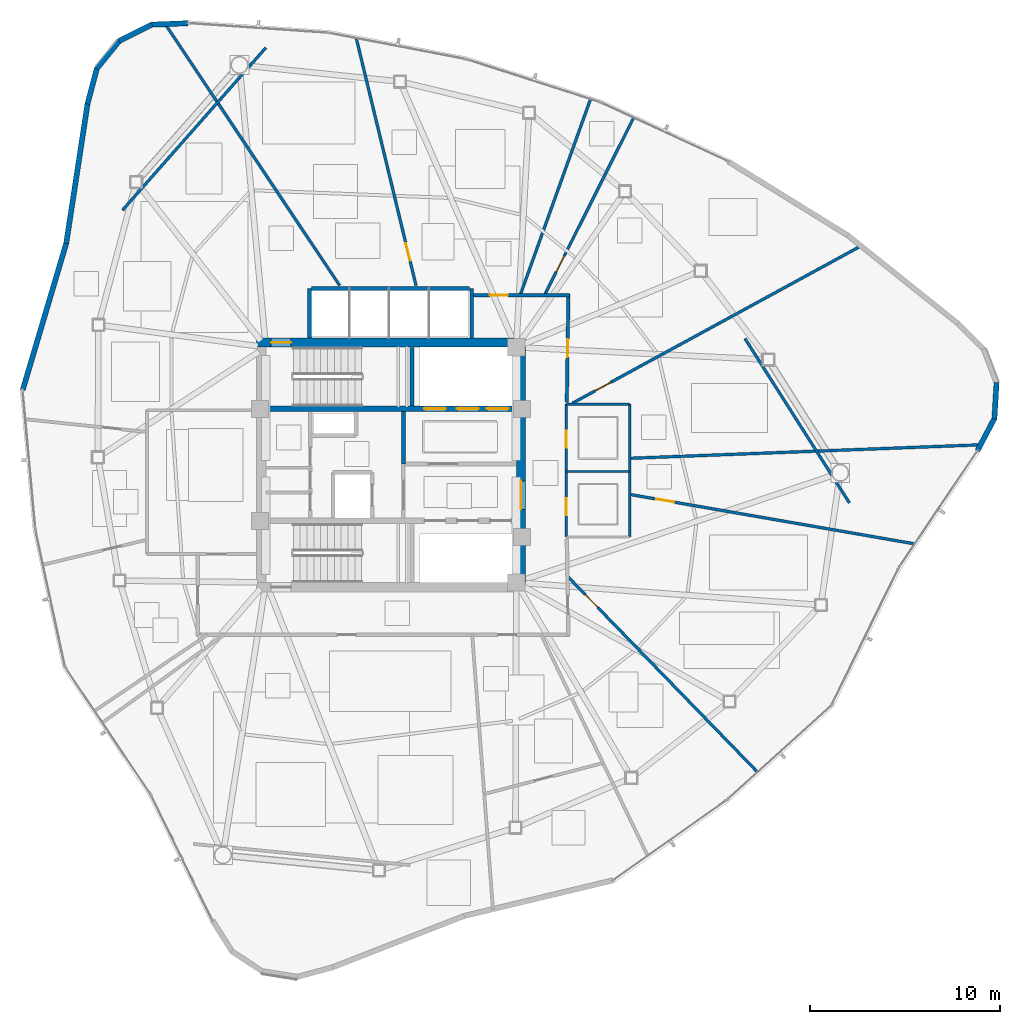
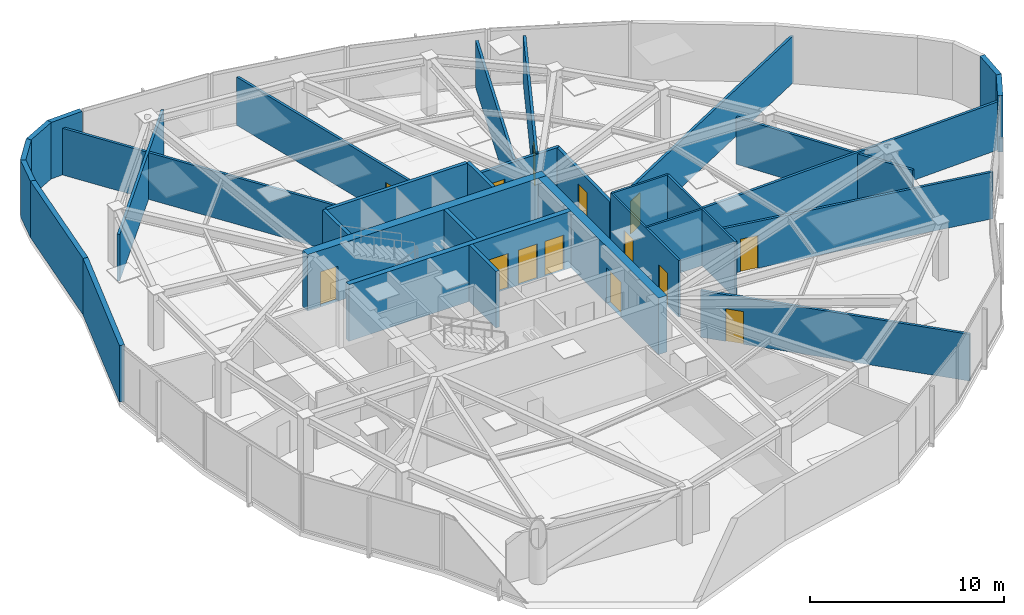
# One storey, part 12 of 17: 32 walls, 14 doors, 14 openings.
"""IFC4 building model written with IfcOpenShell, lengths in metres."""

from ifc_helpers import new_model, si_unit, direction, frame, frame_2d, origin, place, context, subcontext, project, spatial, rectangle, extrude, material, layer, layer_set, type_object, element, fill, save


model = new_model("IFC4")

# Units and contexts
model_context = context("Model", 3, precision=1e-05, world=origin(), true_north=direction((0.0, 1.0)))
body_context = subcontext(model_context, "Body", "Model", "MODEL_VIEW")
ifc_project = project(units=[si_unit("LENGTHUNIT", "METRE"), si_unit("AREAUNIT", "SQUARE_METRE"), si_unit("VOLUMEUNIT", "CUBIC_METRE"), si_unit("PLANEANGLEUNIT", "RADIAN"), si_unit("MASSUNIT", "GRAM", prefix="KILO")], contexts=[model_context])

# Site, building, storey
site_placement = place(None, origin())
site = spatial("IfcSite", under=ifc_project, at=site_placement, CompositionType="ELEMENT")
building_placement = place(site_placement, origin())
building = spatial("IfcBuilding", under=site, at=building_placement, Name="Tavelor Broadcast Tower", CompositionType="ELEMENT")
storey_placement = place(building_placement, frame((0.0, 0.0, 196.449951171875)))
storey = spatial("IfcBuildingStorey", under=building, at=storey_placement, Name="L47", CompositionType="ELEMENT", Elevation=196.449951171875)

# Wall, opening, door
ifc_material_1 = material(Name="Concrete C50/60", Category="concrete")
ifc_layer_1 = layer(ifc_material_1, 0.5)
ifc_layer_set_1 = layer_set([ifc_layer_1], Name="Concrete C50/60")
wall_type_1 = type_object("IfcWallType", Name="Core Shear Wall 500 mm", PredefinedType="SHEAR", material=ifc_layer_set_1)
wall_1_placement = place(storey_placement, frame((42.89990234375, 51.449951171875, 0.0), z_axis=(0.0, 0.0, 1.0), x_axis=(1.0, 0.0, 0.0)))
wall_1 = element("IfcWall", 1, at=wall_1_placement, inside=storey, type_object=wall_type_1, Name="L47 Central Core Shear Wall N", PredefinedType="SHEAR", context=body_context, shape_type="SweptSolid", body=[
    extrude(rectangle(XDim=14.2001953125, YDim=0.5, at=frame_2d((7.10009765625, 0.0))), origin(), (0.0, 0.0, 1.0), 3.550048828125),
])
opening_1_placement = place(wall_1_placement, frame((0.780029296875, 0.0, 0.0)))
opening_1 = element("IfcOpeningElement", 2, at=opening_1_placement, cuts=wall_1, Name="Opening DR11", PredefinedType="OPENING", context=body_context, shape_type="SweptSolid", body=[
    extrude(rectangle(XDim=1.050048828125, YDim=2.199951171875, at=frame_2d((0.52490234375, 1.10009765625))), frame((0.0, 0.260009765625, 0.0), z_axis=(0.0, -1.0, 0.0), x_axis=(1.0, 0.0, 0.0)), (0.0, 0.0, 1.0), 0.52001953125),
])
ifc_material_2 = material(Name="Steel S355", Category="steel")
door_type_1 = type_object("IfcDoorType", Name="Stair Core Fire Escape Door 1050x2200", OperationType="NOTDEFINED", PredefinedType="DOOR", material=ifc_material_2)
door_1_placement = place(opening_1_placement, origin())
door_1 = element("IfcDoor", 3, at=door_1_placement, inside=storey, type_object=door_type_1, Name="L47 Stair ST1 Protected Exit Door", OperationType="SINGLE_SWING_LEFT", OverallHeight=2.199951171875, OverallWidth=1.050048828125, PredefinedType="DOOR", context=body_context, shape_type="SweptSolid", body=[
    extrude(rectangle(XDim=1.050048828125, YDim=2.199951171875, at=frame_2d((0.52490234375, 1.10009765625))), frame((0.0, 0.02490234375, 0.0), z_axis=(0.0, -1.0, 0.0), x_axis=(1.0, 0.0, 0.0)), (0.0, 0.0, 1.0), 0.050048828125),
])
fill(opening_1, door_1)

wall_2_placement = place(storey_placement, frame((56.85009765625, 38.800048828125, 0.0), z_axis=(0.0, 0.0, 1.0), x_axis=(0.0, 1.0, 0.0)))
wall_2 = element("IfcWall", 4, at=wall_2_placement, inside=storey, type_object=wall_type_1, Name="L47 Central Core Shear Wall E", PredefinedType="SHEAR", context=body_context, shape_type="SweptSolid", body=[
    extrude(rectangle(XDim=12.39990234375, YDim=0.5, at=frame_2d((6.199951171875, 0.0))), origin(), (0.0, 0.0, 1.0), 3.550048828125),
])
opening_2_placement = place(wall_2_placement, frame((3.85009765625, 0.0, 0.0)))
opening_2 = element("IfcOpeningElement", 5, at=opening_2_placement, cuts=wall_2, Name="Opening DR14", PredefinedType="OPENING", context=body_context, shape_type="SweptSolid", body=[
    extrude(rectangle(XDim=1.5, YDim=2.199951171875, at=frame_2d((0.75, 1.10009765625))), frame((0.0, 0.260009765625, 0.0), z_axis=(0.0, -1.0, 0.0), x_axis=(1.0, 0.0, 0.0)), (0.0, 0.0, 1.0), 0.52001953125),
])
door_type_2 = type_object("IfcDoorType", Name="Firefighting Lobby Double Fire Door 1500x2200", OperationType="NOTDEFINED", PredefinedType="DOOR", material=ifc_material_2)
door_2_placement = place(opening_2_placement, origin())
door_2 = element("IfcDoor", 6, at=door_2_placement, inside=storey, type_object=door_type_2, Name="L47 Central Core Lobby Fire Door", OperationType="SINGLE_SWING_RIGHT", OverallHeight=2.199951171875, OverallWidth=1.5, PredefinedType="DOOR", context=body_context, shape_type="SweptSolid", body=[
    extrude(rectangle(XDim=1.5, YDim=2.199951171875, at=frame_2d((0.75, 1.10009765625))), frame((0.0, 0.02490234375, 0.0), z_axis=(0.0, -1.0, 0.0), x_axis=(1.0, 0.0, 0.0)), (0.0, 0.0, 1.0), 0.050048828125),
])
fill(opening_2, door_2)

# Wall, openings, doors
ifc_layer_2 = layer(ifc_material_1, 0.300048828125)
ifc_layer_set_2 = layer_set([ifc_layer_2], Name="Concrete C50/60")
wall_type_2 = type_object("IfcWallType", Name="Core Spine Shear Wall 300 mm C50", PredefinedType="SHEAR", material=ifc_layer_set_2)
wall_3_placement = place(storey_placement, frame((43.39990234375, 47.949951171875, 0.0), z_axis=(0.0, 0.0, 1.0), x_axis=(1.0, 0.0, 0.0)))
wall_3 = element("IfcWall", 7, at=wall_3_placement, inside=storey, type_object=wall_type_2, Name="L47 Central Core Shear Wall SP1", PredefinedType="SHEAR", context=body_context, shape_type="SweptSolid", body=[
    extrude(rectangle(XDim=13.2001953125, YDim=0.300048828125, at=frame_2d((6.60009765625, 0.0))), origin(), (0.0, 0.0, 1.0), 3.550048828125),
])
opening_3_placement = place(wall_3_placement, frame((8.344970703125, 0.0, 0.0)))
opening_3 = element("IfcOpeningElement", 8, at=opening_3_placement, cuts=wall_3, Name="Opening LD02", PredefinedType="OPENING", context=body_context, shape_type="SweptSolid", body=[
    extrude(rectangle(XDim=1.14990234375, YDim=2.199951171875, at=frame_2d((0.574951171875, 1.10009765625))), frame((0.0, 0.16015625, 0.0), z_axis=(0.0, -1.0, 0.0), x_axis=(1.0, 0.0, 0.0)), (0.0, 0.0, 1.0), 0.320068359375),
])
opening_4_placement = place(wall_3_placement, frame((10.06494140625, 0.0, 0.0)))
opening_4 = element("IfcOpeningElement", 9, at=opening_4_placement, cuts=wall_3, Name="Opening LD02", PredefinedType="OPENING", context=body_context, shape_type="SweptSolid", body=[
    extrude(rectangle(XDim=1.14990234375, YDim=2.199951171875, at=frame_2d((0.574951171875, 1.10009765625))), frame((0.0, 0.16015625, 0.0), z_axis=(0.0, -1.0, 0.0), x_axis=(1.0, 0.0, 0.0)), (0.0, 0.0, 1.0), 0.320068359375),
])
opening_5_placement = place(wall_3_placement, frame((11.64501953125, 0.0, 0.0)))
opening_5 = element("IfcOpeningElement", 10, at=opening_5_placement, cuts=wall_3, Name="Opening LD03", PredefinedType="OPENING", context=body_context, shape_type="SweptSolid", body=[
    extrude(rectangle(XDim=1.14990234375, YDim=2.199951171875, at=frame_2d((0.574951171875, 1.10009765625))), frame((0.0, 0.16015625, 0.0), z_axis=(0.0, -1.0, 0.0), x_axis=(1.0, 0.0, 0.0)), (0.0, 0.0, 1.0), 0.320068359375),
])
ifc_material_3 = material(Name="Reinforced Brushed Stainless Steel", Category="concrete")
door_type_3 = type_object("IfcDoorType", Name="Broadcast Goods Lift Sliding Landing Door 1250x2200", OperationType="NOTDEFINED", PredefinedType="DOOR", material=ifc_material_3)
door_3_placement = place(opening_5_placement, origin())
door_3 = element("IfcDoor", 11, at=door_3_placement, inside=storey, type_object=door_type_3, Name="L47 Lift SVL1 Sliding Landing Door", OperationType="SLIDING_TO_LEFT", OverallHeight=2.199951171875, OverallWidth=1.14990234375, PredefinedType="DOOR", context=body_context, shape_type="SweptSolid", body=[
    extrude(rectangle(XDim=1.14990234375, YDim=2.199951171875, at=frame_2d((0.574951171875, 1.10009765625))), frame((0.0, 0.02490234375, 0.0), z_axis=(0.0, -1.0, 0.0), x_axis=(1.0, 0.0, 0.0)), (0.0, 0.0, 1.0), 0.050048828125),
])
fill(opening_5, door_3)
ifc_material_4 = material(Name="Fire-Rated Stainless Steel", Category="steel")
door_type_4 = type_object("IfcDoorType", Name="Firefighting Lift Sliding Landing Door 1200x2200", OperationType="NOTDEFINED", PredefinedType="DOOR", material=ifc_material_4)
door_4_placement = place(opening_3_placement, origin())
door_4 = element("IfcDoor", 12, at=door_4_placement, inside=storey, type_object=door_type_4, Name="L47 Lift FFL1 Sliding Landing Door", OperationType="SLIDING_TO_LEFT", OverallHeight=2.199951171875, OverallWidth=1.14990234375, PredefinedType="DOOR", context=body_context, shape_type="SweptSolid", body=[
    extrude(rectangle(XDim=1.14990234375, YDim=2.199951171875, at=frame_2d((0.574951171875, 1.10009765625))), frame((0.0, 0.02490234375, 0.0), z_axis=(0.0, -1.0, 0.0), x_axis=(1.0, 0.0, 0.0)), (0.0, 0.0, 1.0), 0.050048828125),
])
fill(opening_3, door_4)
door_5_placement = place(opening_4_placement, origin())
door_5 = element("IfcDoor", 13, at=door_5_placement, inside=storey, type_object=door_type_4, Name="L47 Lift FFL2 Sliding Landing Door", OperationType="SLIDING_TO_LEFT", OverallHeight=2.199951171875, OverallWidth=1.14990234375, PredefinedType="DOOR", context=body_context, shape_type="SweptSolid", body=[
    extrude(rectangle(XDim=1.14990234375, YDim=2.199951171875, at=frame_2d((0.574951171875, 1.10009765625))), frame((0.0, 0.02490234375, 0.0), z_axis=(0.0, -1.0, 0.0), x_axis=(1.0, 0.0, 0.0)), (0.0, 0.0, 1.0), 0.050048828125),
])
fill(opening_4, door_5)

# Wall, opening, door
ifc_material_5 = material(Name="Calcium Silicate Fire Board 180 mm", Category="gypsum")
ifc_layer_3 = layer(ifc_material_5, 0.179931640625)
ifc_layer_set_3 = layer_set([ifc_layer_3], Name="Calcium Silicate Fire Board 180 mm")
wall_type_3 = type_object("IfcWallType", Name="Fire-Rated Corridor Partition Wall 180 mm", PredefinedType="PARTITIONING", material=ifc_layer_set_3)
wall_4_placement = place(storey_placement, frame((54.300048828125, 53.949951171875, 0.0), z_axis=(0.0, 0.0, 1.0), x_axis=(1.0, 0.0, 0.0)))
wall_4 = element("IfcWall", 14, at=wall_4_placement, inside=storey, type_object=wall_type_3, Name="L47 Corridor Compartment Wall 01", PredefinedType="PARTITIONING", context=body_context, shape_type="SweptSolid", body=[
    extrude(rectangle(XDim=5.099853515625, YDim=0.179931640625, at=frame_2d((2.5498046875, 0.0))), origin(), (0.0, 0.0, 1.0), 2.93505859375),
])
opening_6_placement = place(wall_4_placement, frame((0.913818359375, 0.0, 0.0)))
opening_6 = element("IfcOpeningElement", 15, at=opening_6_placement, cuts=wall_4, Name="Opening DR18", PredefinedType="OPENING", context=body_context, shape_type="SweptSolid", body=[
    extrude(rectangle(XDim=0.949951171875, YDim=2.050048828125, at=frame_2d((0.47509765625, 1.02490234375))), frame((0.0, 0.10009765625, 0.0), z_axis=(0.0, -1.0, 0.0), x_axis=(1.0, 0.0, 0.0)), (0.0, 0.0, 1.0), 0.199951171875),
])
ifc_material_6 = material(Name="Timber Solid Core Hardwood", Category="wood")
door_type_5 = type_object("IfcDoorType", Name="Corridor Rated Compartment Door 950x2050", OperationType="NOTDEFINED", PredefinedType="DOOR", material=ifc_material_6)
door_6_placement = place(opening_6_placement, origin())
door_6 = element("IfcDoor", 16, at=door_6_placement, inside=storey, type_object=door_type_5, Name="L47 Broadcast Script Study Door R9", OperationType="SINGLE_SWING_LEFT", OverallHeight=2.050048828125, OverallWidth=0.949951171875, PredefinedType="DOOR", context=body_context, shape_type="SweptSolid", body=[
    extrude(rectangle(XDim=0.949951171875, YDim=2.050048828125, at=frame_2d((0.47509765625, 1.02490234375))), frame((0.0, 0.02490234375, 0.0), z_axis=(0.0, -1.0, 0.0), x_axis=(1.0, 0.0, 0.0)), (0.0, 0.0, 1.0), 0.050048828125),
])
fill(opening_6, door_6)

wall_5_placement = place(storey_placement, frame((59.3505859375, 54.0, 0.0), z_axis=(0.0, 0.0, 1.0), x_axis=(-0.014903899768, -0.999888930718, 0.0)))
wall_5 = element("IfcWall", 17, at=wall_5_placement, inside=storey, type_object=wall_type_3, Name="L47 Corridor Compartment Wall 02", PredefinedType="PARTITIONING", context=body_context, shape_type="SweptSolid", body=[
    extrude(rectangle(XDim=5.70068359375, YDim=0.179931640625, at=frame_2d((2.850341796875, 0.0))), origin(), (0.0, 0.0, 1.0), 2.93505859375),
])
opening_7_placement = place(wall_5_placement, frame((2.375244140625, 0.0, 0.0)))
opening_7 = element("IfcOpeningElement", 18, at=opening_7_placement, cuts=wall_5, Name="Opening DR18", PredefinedType="OPENING", context=body_context, shape_type="SweptSolid", body=[
    extrude(rectangle(XDim=0.949951171875, YDim=2.050048828125, at=frame_2d((0.47509765625, 1.02490234375))), frame((0.0, 0.10009765625, 0.0), z_axis=(0.0, -1.0, 0.0), x_axis=(1.0, 0.0, 0.0)), (0.0, 0.0, 1.0), 0.199951171875),
])
door_7_placement = place(opening_7_placement, origin())
door_7 = element("IfcDoor", 19, at=door_7_placement, inside=storey, type_object=door_type_5, Name="L47 Colour Grading Studio Door R11", OperationType="SINGLE_SWING_RIGHT", OverallHeight=2.050048828125, OverallWidth=0.949951171875, PredefinedType="DOOR", context=body_context, shape_type="SweptSolid", body=[
    extrude(rectangle(XDim=0.949951171875, YDim=2.050048828125, at=frame_2d((0.47509765625, 1.02490234375))), frame((0.0, 0.02490234375, 0.0), z_axis=(0.0, -1.0, 0.0), x_axis=(1.0, 0.0, 0.0)), (0.0, 0.0, 1.0), 0.050048828125),
])
fill(opening_7, door_7)

# Walls
ifc_material_7 = material(Name="Precast Concrete C40/50", Category="concrete")
ifc_layer_4 = layer(ifc_material_7, 0.280029296875)
ifc_layer_set_4 = layer_set([ifc_layer_4], Name="Precast Concrete C40/50")
wall_type_4 = type_object("IfcWallType", Name="Insulated Precast Terracotta Facade Wall 280 mm", PredefinedType="STANDARD", material=ifc_layer_set_4)
wall_6_placement = place(storey_placement, frame((39.298583984375, 68.28173828125, 0.0), z_axis=(0.0, 0.0, 1.0), x_axis=(-0.999229915241, -0.039237437328, 0.0)))
element("IfcWall", 20, at=wall_6_placement, inside=storey, type_object=wall_type_4, Name="L47 Rounded Corner Structural Cladding Pier 01", PredefinedType="STANDARD", context=body_context, shape_type="SweptSolid", body=[
    extrude(rectangle(XDim=1.93505859375, YDim=0.280029296875, at=frame_2d((0.967529296875, 0.0))), origin(), (0.0, 0.0, 1.0), 3.550048828125),
])
for number, where, z_axis, x_axis, name in (
    (21, (37.393310546875, 68.213134765625, 0.0), (0.0, 0.0, 1.0), (-0.894503338382, -0.44706126831, 0.0), "L47 Rounded Corner Structural Cladding Pier 02"),
    (22, (35.69580078125, 67.37158203125, 0.0), (0.0, 0.0, 1.0), (-0.631466683926, -0.775403009468, 0.0), "L47 Rounded Corner Structural Cladding Pier 03"),
):
    element("IfcWall", number, at=place(storey_placement, frame(where, z_axis=z_axis, x_axis=x_axis)), inside=storey, type_object=wall_type_4, Name=name, PredefinedType="STANDARD", context=body_context, shape_type="SweptSolid", body=[
        extrude(rectangle(XDim=1.92333984375, YDim=0.280029296875, at=frame_2d((0.961669921875, 0.0))), origin(), (0.0, 0.0, 1.0), 3.550048828125),
    ])
wall_7_placement = place(storey_placement, frame((34.49462890625, 65.90625, 0.0), z_axis=(0.0, 0.0, 1.0), x_axis=(-0.25626489336, -0.966606592379, 0.0)))
element("IfcWall", 23, at=wall_7_placement, inside=storey, type_object=wall_type_4, Name="L47 Rounded Corner Structural Cladding Pier 04", PredefinedType="STANDARD", context=body_context, shape_type="SweptSolid", body=[
    extrude(rectangle(XDim=1.9462890625, YDim=0.280029296875, at=frame_2d((0.97314453125, 0.0))), origin(), (0.0, 0.0, 1.0), 3.550048828125),
])
wall_8_placement = place(storey_placement, frame((34.001953125, 64.05419921875, 0.0), z_axis=(0.0, 0.0, 1.0), x_axis=(-0.150860798208, -0.988555015952, 0.0)))
element("IfcWall", 24, at=wall_8_placement, inside=storey, type_object=wall_type_4, Name="L47 Rounded Corner Structural Cladding Pier 05", PredefinedType="STANDARD", context=body_context, shape_type="SweptSolid", body=[
    extrude(rectangle(XDim=7.468505859375, YDim=0.280029296875, at=frame_2d((3.734375, 0.0))), origin(), (0.0, 0.0, 1.0), 3.550048828125),
])
wall_9_placement = place(storey_placement, frame((32.8818359375, 56.7001953125, 0.0), z_axis=(0.0, 0.0, 1.0), x_axis=(-0.284460423916, -0.958687784018, 0.0)))
element("IfcWall", 25, at=wall_9_placement, inside=storey, type_object=wall_type_4, Name="L47 Rounded Corner Structural Cladding Pier 06", PredefinedType="STANDARD", context=body_context, shape_type="SweptSolid", body=[
    extrude(rectangle(XDim=8.08642578125, YDim=0.280029296875, at=frame_2d((4.043212890625, 0.0))), origin(), (0.0, 0.0, 1.0), 3.550048828125),
])
wall_10_placement = place(storey_placement, frame((80.913330078125, 45.744384765625, 0.0), z_axis=(0.0, 0.0, 1.0), x_axis=(0.465538430263, 0.885027666205, 0.0)))
element("IfcWall", 26, at=wall_10_placement, inside=storey, type_object=wall_type_4, Name="L47 Rounded Corner Structural Cladding Pier 21", PredefinedType="STANDARD", context=body_context, shape_type="SweptSolid", body=[
    extrude(rectangle(XDim=1.93505859375, YDim=0.280029296875, at=frame_2d((0.967529296875, 0.0))), origin(), (0.0, 0.0, 1.0), 3.550048828125),
])
wall_11_placement = place(storey_placement, frame((81.806396484375, 47.4287109375, 0.0), z_axis=(0.0, 0.0, 1.0), x_axis=(0.0601654768, 0.998188416784, 0.0)))
element("IfcWall", 27, at=wall_11_placement, inside=storey, type_object=wall_type_4, Name="L47 Rounded Corner Structural Cladding Pier 22", PredefinedType="STANDARD", context=body_context, shape_type="SweptSolid", body=[
    extrude(rectangle(XDim=1.92333984375, YDim=0.280029296875, at=frame_2d((0.961669921875, 0.0))), origin(), (0.0, 0.0, 1.0), 3.550048828125),
])
ifc_material_8 = material(Name="Gypsum Acoustic Plasterboard 150 mm", Category="gypsum")
ifc_layer_5 = layer(ifc_material_8, 0.14990234375)
ifc_layer_set_5 = layer_set([ifc_layer_5], Name="Gypsum Acoustic Plasterboard 150 mm")
wall_type_5 = type_object("IfcWallType", Name="Interior Acoustic Partition Wall 150 mm", PredefinedType="PARTITIONING", material=ifc_layer_set_5)
wall_12_placement = place(storey_placement, frame((43.399658203125, 66.988525390625, 0.0), z_axis=(0.0, 0.0, 1.0), x_axis=(-0.661622343701, -0.749837231881, 0.0)))
element("IfcWall", 28, at=wall_12_placement, inside=storey, type_object=wall_type_5, Name="L47 Corner Tube Brace Furring Wall 1", PredefinedType="PARTITIONING", context=body_context, shape_type="SweptSolid", body=[
    extrude(rectangle(XDim=11.42724609375, YDim=0.14990234375, at=frame_2d((5.713623046875, 0.0))), origin(), (0.0, 0.0, 1.0), 2.93505859375),
])
wall_13_placement = place(storey_placement, frame((74.16259765625, 42.9931640625, 0.0), z_axis=(0.0, 0.0, 1.0), x_axis=(-0.53628142437, 0.844039237166, 0.0)))
element("IfcWall", 29, at=wall_13_placement, inside=storey, type_object=wall_type_5, Name="L47 Corner Tube Brace Furring Wall 3", PredefinedType="PARTITIONING", context=body_context, shape_type="SweptSolid", body=[
    extrude(rectangle(XDim=10.266845703125, YDim=0.14990234375, at=frame_2d((5.13330078125, 0.0))), origin(), (0.0, 0.0, 1.0), 2.93505859375),
])

# Wall, opening, door
wall_14_placement = place(storey_placement, frame((59.298583984375, 39.128173828125, 0.0), z_axis=(0.0, 0.0, 1.0), x_axis=(0.696450218234, -0.717605109738, 0.0)))
wall_14 = element("IfcWall", 30, at=wall_14_placement, inside=storey, type_object=wall_type_5, Name="L47 Radial Compartment Wall 05", PredefinedType="PARTITIONING", context=body_context, shape_type="SweptSolid", body=[
    extrude(rectangle(XDim=14.402587890625, YDim=0.14990234375, at=frame_2d((7.201171875, 0.0))), origin(), (0.0, 0.0, 1.0), 2.93505859375),
])
opening_8_placement = place(wall_14_placement, frame((1.35009765625, 0.0, 0.0)))
opening_8 = element("IfcOpeningElement", 31, at=opening_8_placement, cuts=wall_14, Name="Opening DR18", PredefinedType="OPENING", context=body_context, shape_type="SweptSolid", body=[
    extrude(rectangle(XDim=0.949951171875, YDim=2.050048828125, at=frame_2d((0.47509765625, 1.02490234375))), frame((0.0, 0.0849609375, 0.0), z_axis=(0.0, -1.0, 0.0), x_axis=(1.0, 0.0, 0.0)), (0.0, 0.0, 1.0), 0.169921875),
])
door_8_placement = place(opening_8_placement, origin())
door_8 = element("IfcDoor", 32, at=door_8_placement, inside=storey, type_object=door_type_5, Name="L47 Suite Connecting Door 1", OperationType="SINGLE_SWING_LEFT", OverallHeight=2.050048828125, OverallWidth=0.949951171875, PredefinedType="DOOR", context=body_context, shape_type="SweptSolid", body=[
    extrude(rectangle(XDim=0.949951171875, YDim=2.050048828125, at=frame_2d((0.47509765625, 1.02490234375))), frame((0.0, 0.02490234375, 0.0), z_axis=(0.0, -1.0, 0.0), x_axis=(1.0, 0.0, 0.0)), (0.0, 0.0, 1.0), 0.050048828125),
])
fill(opening_8, door_8)

wall_15_placement = place(storey_placement, frame((62.64990234375, 43.4296875, 0.0), z_axis=(0.0, 0.0, 1.0), x_axis=(0.985278191403, -0.170958724687, 0.0)))
wall_15 = element("IfcWall", 33, at=wall_15_placement, inside=storey, type_object=wall_type_5, Name="L47 Radial Compartment Wall 06", PredefinedType="PARTITIONING", context=body_context, shape_type="SweptSolid", body=[
    extrude(rectangle(XDim=15.194580078125, YDim=0.14990234375, at=frame_2d((7.59716796875, 0.0))), origin(), (0.0, 0.0, 1.0), 2.93505859375),
])
opening_9_placement = place(wall_15_placement, frame((1.35009765625, 0.0, 0.0)))
opening_9 = element("IfcOpeningElement", 34, at=opening_9_placement, cuts=wall_15, Name="Opening DR18", PredefinedType="OPENING", context=body_context, shape_type="SweptSolid", body=[
    extrude(rectangle(XDim=0.949951171875, YDim=2.050048828125, at=frame_2d((0.47509765625, 1.02490234375))), frame((0.0, 0.0849609375, 0.0), z_axis=(0.0, -1.0, 0.0), x_axis=(1.0, 0.0, 0.0)), (0.0, 0.0, 1.0), 0.169921875),
])
door_9_placement = place(opening_9_placement, origin())
door_9 = element("IfcDoor", 35, at=door_9_placement, inside=storey, type_object=door_type_5, Name="L47 Suite Connecting Door 0", OperationType="SINGLE_SWING_RIGHT", OverallHeight=2.050048828125, OverallWidth=0.949951171875, PredefinedType="DOOR", context=body_context, shape_type="SweptSolid", body=[
    extrude(rectangle(XDim=0.949951171875, YDim=2.050048828125, at=frame_2d((0.47509765625, 1.02490234375))), frame((0.0, 0.02490234375, 0.0), z_axis=(0.0, -1.0, 0.0), x_axis=(1.0, 0.0, 0.0)), (0.0, 0.0, 1.0), 0.050048828125),
])
fill(opening_9, door_9)

# Wall
wall_16_placement = place(storey_placement, frame((62.64990234375, 45.347900390625, 0.0), z_axis=(0.0, 0.0, 1.0), x_axis=(0.999261116002, 0.038434646444, 0.0)))
element("IfcWall", 36, at=wall_16_placement, inside=storey, type_object=wall_type_5, Name="L47 Radial Compartment Wall 07", PredefinedType="PARTITIONING", context=body_context, shape_type="SweptSolid", body=[
    extrude(rectangle(XDim=18.452880859375, YDim=0.14990234375, at=frame_2d((9.2265625, 0.0))), origin(), (0.0, 0.0, 1.0), 3.025146484375),
])

# Wall, opening, door
wall_17_placement = place(storey_placement, frame((59.56298828125, 48.25, 0.0), z_axis=(0.0, 0.0, 1.0), x_axis=(0.878046175679, 0.478575922269, 0.0)))
wall_17 = element("IfcWall", 37, at=wall_17_placement, inside=storey, type_object=wall_type_5, Name="L47 Radial Compartment Wall 08", PredefinedType="PARTITIONING", context=body_context, shape_type="SweptSolid", body=[
    extrude(rectangle(XDim=17.341796875, YDim=0.14990234375, at=frame_2d((8.6708984375, 0.0))), origin(), (0.0, 0.0, 1.0), 2.93505859375),
])
opening_10_placement = place(wall_17_placement, frame((1.35009765625, 0.0, 0.0)))
opening_10 = element("IfcOpeningElement", 38, at=opening_10_placement, cuts=wall_17, Name="Opening DR18", PredefinedType="OPENING", context=body_context, shape_type="SweptSolid", body=[
    extrude(rectangle(XDim=0.949951171875, YDim=2.050048828125, at=frame_2d((0.47509765625, 1.02490234375))), frame((0.0, 0.0849609375, 0.0), z_axis=(0.0, -1.0, 0.0), x_axis=(1.0, 0.0, 0.0)), (0.0, 0.0, 1.0), 0.169921875),
])
door_10_placement = place(opening_10_placement, origin())
door_10 = element("IfcDoor", 39, at=door_10_placement, inside=storey, type_object=door_type_5, Name="L47 Suite Connecting Door 12", OperationType="SINGLE_SWING_LEFT", OverallHeight=2.050048828125, OverallWidth=0.949951171875, PredefinedType="DOOR", context=body_context, shape_type="SweptSolid", body=[
    extrude(rectangle(XDim=0.949951171875, YDim=2.050048828125, at=frame_2d((0.47509765625, 1.02490234375))), frame((0.0, 0.02490234375, 0.0), z_axis=(0.0, -1.0, 0.0), x_axis=(1.0, 0.0, 0.0)), (0.0, 0.0, 1.0), 0.050048828125),
])
fill(opening_10, door_10)

wall_18_placement = place(storey_placement, frame((58.09423828125, 53.949951171875, 0.0), z_axis=(0.0, 0.0, 1.0), x_axis=(0.448770289667, 0.89364714911, 0.0)))
wall_18 = element("IfcWall", 40, at=wall_18_placement, inside=storey, type_object=wall_type_5, Name="L47 Radial Compartment Wall 09", PredefinedType="PARTITIONING", context=body_context, shape_type="SweptSolid", body=[
    extrude(rectangle(XDim=10.471923828125, YDim=0.14990234375, at=frame_2d((5.23583984375, 0.0))), origin(), (0.0, 0.0, 1.0), 3.025146484375),
])
opening_11_placement = place(wall_18_placement, frame((1.35009765625, 0.0, 0.0)))
opening_11 = element("IfcOpeningElement", 41, at=opening_11_placement, cuts=wall_18, Name="Opening DR18", PredefinedType="OPENING", context=body_context, shape_type="SweptSolid", body=[
    extrude(rectangle(XDim=0.949951171875, YDim=2.050048828125, at=frame_2d((0.47509765625, 1.02490234375))), frame((0.0, 0.0849609375, 0.0), z_axis=(0.0, -1.0, 0.0), x_axis=(1.0, 0.0, 0.0)), (0.0, 0.0, 1.0), 0.169921875),
])
door_11_placement = place(opening_11_placement, origin())
door_11 = element("IfcDoor", 42, at=door_11_placement, inside=storey, type_object=door_type_5, Name="L47 Suite Connecting Door 10", OperationType="SINGLE_SWING_RIGHT", OverallHeight=2.050048828125, OverallWidth=0.949951171875, PredefinedType="DOOR", context=body_context, shape_type="SweptSolid", body=[
    extrude(rectangle(XDim=0.949951171875, YDim=2.050048828125, at=frame_2d((0.47509765625, 1.02490234375))), frame((0.0, 0.02490234375, 0.0), z_axis=(0.0, -1.0, 0.0), x_axis=(1.0, 0.0, 0.0)), (0.0, 0.0, 1.0), 0.050048828125),
])
fill(opening_11, door_11)

# Wall
wall_19_placement = place(storey_placement, frame((56.810302734375, 53.949951171875, 0.0), z_axis=(0.0, 0.0, 1.0), x_axis=(0.337634919484, 0.941277143643, 0.0)))
element("IfcWall", 43, at=wall_19_placement, inside=storey, type_object=wall_type_5, Name="L47 Radial Compartment Wall 10", PredefinedType="PARTITIONING", context=body_context, shape_type="SweptSolid", body=[
    extrude(rectangle(XDim=10.978759765625, YDim=0.14990234375, at=frame_2d((5.4892578125, 0.0))), origin(), (0.0, 0.0, 1.0), 2.93505859375),
])

# Wall, opening, door
wall_20_placement = place(storey_placement, frame((51.317626953125, 54.449951171875, 0.0), z_axis=(0.0, 0.0, 1.0), x_axis=(-0.2347844954, 0.972047447772, 0.0)))
wall_20 = element("IfcWall", 44, at=wall_20_placement, inside=storey, type_object=wall_type_5, Name="L47 Radial Compartment Wall 11", PredefinedType="PARTITIONING", context=body_context, shape_type="SweptSolid", body=[
    extrude(rectangle(XDim=13.427490234375, YDim=0.14990234375, at=frame_2d((6.7138671875, 0.0))), origin(), (0.0, 0.0, 1.0), 3.025146484375),
])
opening_12_placement = place(wall_20_placement, frame((1.35009765625, 0.0, 0.0)))
opening_12 = element("IfcOpeningElement", 45, at=opening_12_placement, cuts=wall_20, Name="Opening DR18", PredefinedType="OPENING", context=body_context, shape_type="SweptSolid", body=[
    extrude(rectangle(XDim=0.949951171875, YDim=2.050048828125, at=frame_2d((0.47509765625, 1.02490234375))), frame((0.0, 0.0849609375, 0.0), z_axis=(0.0, -1.0, 0.0), x_axis=(1.0, 0.0, 0.0)), (0.0, 0.0, 1.0), 0.169921875),
])
door_12_placement = place(opening_12_placement, origin())
door_12 = element("IfcDoor", 46, at=door_12_placement, inside=storey, type_object=door_type_5, Name="L47 Suite Connecting Door 8", OperationType="SINGLE_SWING_LEFT", OverallHeight=2.050048828125, OverallWidth=0.949951171875, PredefinedType="DOOR", context=body_context, shape_type="SweptSolid", body=[
    extrude(rectangle(XDim=0.949951171875, YDim=2.050048828125, at=frame_2d((0.47509765625, 1.02490234375))), frame((0.0, 0.02490234375, 0.0), z_axis=(0.0, -1.0, 0.0), x_axis=(1.0, 0.0, 0.0)), (0.0, 0.0, 1.0), 0.050048828125),
])
fill(opening_12, door_12)

# Walls
wall_21_placement = place(storey_placement, frame((47.294189453125, 54.449951171875, 0.0), z_axis=(0.0, 0.0, 1.0), x_axis=(-0.555036493419, 0.831825998015, 0.0)))
element("IfcWall", 47, at=wall_21_placement, inside=storey, type_object=wall_type_5, Name="L47 Radial Compartment Wall 12", PredefinedType="PARTITIONING", context=body_context, shape_type="SweptSolid", body=[
    extrude(rectangle(XDim=16.583251953125, YDim=0.14990234375, at=frame_2d((8.29150390625, 0.0))), origin(), (0.0, 0.0, 1.0), 2.93505859375),
])
ifc_material_9 = material(Name="Concrete Blockwork 200 mm", Category="masonry")
ifc_layer_6 = layer(ifc_material_9, 0.199951171875)
ifc_layer_set_6 = layer_set([ifc_layer_6], Name="Concrete Blockwork 200 mm")
wall_type_6 = type_object("IfcWallType", Name="Lift Hoistway Rated Front Wall 200 mm", PredefinedType="PARTITIONING", material=ifc_layer_set_6)
wall_22_placement = place(storey_placement, frame((45.820068359375, 54.300048828125, 0.0), z_axis=(0.0, 0.0, 1.0), x_axis=(1.0, 0.0, 0.0)))
element("IfcWall", 48, at=wall_22_placement, inside=storey, type_object=wall_type_6, Name="L47 High-Rise Lift Hoistway Front Wall", PredefinedType="PARTITIONING", context=body_context, shape_type="SweptSolid", body=[
    extrude(rectangle(XDim=8.309814453125, YDim=0.199951171875, at=frame_2d((4.15478515625, 0.0))), origin(), (0.0, 0.0, 1.0), 3.550048828125),
])
ifc_layer_7 = layer(ifc_material_9, 0.199951171875)
ifc_layer_set_7 = layer_set([ifc_layer_7], Name="Concrete Blockwork 200 mm")
wall_type_7 = type_object("IfcWallType", Name="Lift and Riser Shaft Enclosure Wall 200 mm", PredefinedType="PARTITIONING", material=ifc_layer_set_7)
for number, where, z_axis, x_axis, name in (
    (49, (45.699951171875, 51.699951171875, 0.0), (0.0, 0.0, 1.0), (0.0, 1.0, 0.0), "L47 High-Rise Lift Shaft West Wall"),
    (50, (54.25, 51.699951171875, 0.0), (0.0, 0.0, 1.0), (0.0, 1.0, 0.0), "L47 High-Rise Lift Shaft East Wall"),
):
    element("IfcWall", number, at=place(storey_placement, frame(where, z_axis=z_axis, x_axis=x_axis)), inside=storey, type_object=wall_type_7, Name=name, PredefinedType="PARTITIONING", context=body_context, shape_type="SweptSolid", body=[
        extrude(rectangle(XDim=2.60009765625, YDim=0.199951171875, at=frame_2d((1.300048828125, 0.0))), origin(), (0.0, 0.0, 1.0), 3.550048828125),
    ])
wall_23_placement = place(storey_placement, frame((50.64990234375, 45.050048828125, 0.0), z_axis=(0.0, 0.0, 1.0), x_axis=(0.0, 1.0, 0.0)))
element("IfcWall", 51, at=wall_23_placement, inside=storey, type_object=wall_type_7, Name="L47 Firefighting Lobby West Wall", PredefinedType="PARTITIONING", context=body_context, shape_type="SweptSolid", body=[
    extrude(rectangle(XDim=2.75, YDim=0.199951171875, at=frame_2d((1.375, 0.0))), origin(), (0.0, 0.0, 1.0), 3.550048828125),
])

# Wall, openings, doors
ifc_material_10 = material(Name="Moisture-Resistant Plasterboard 120 mm", Category="gypsum")
ifc_layer_8 = layer(ifc_material_10, 0.1201171875)
ifc_layer_set_8 = layer_set([ifc_layer_8], Name="Moisture-Resistant Plasterboard 120 mm")
wall_type_8 = type_object("IfcWallType", Name="Moisture-Resistant Wet-Room Partition 120 mm", PredefinedType="PARTITIONING", material=ifc_layer_set_8)
wall_24_placement = place(storey_placement, frame((59.239990234375, 41.199951171875, 0.0), z_axis=(0.0, 0.0, 1.0), x_axis=(0.0, 1.0, 0.0)))
wall_24 = element("IfcWall", 52, at=wall_24_placement, inside=storey, type_object=wall_type_8, Name="L47 Floor Washrooms West Wall", PredefinedType="PARTITIONING", context=body_context, shape_type="SweptSolid", body=[
    extrude(rectangle(XDim=7.0, YDim=0.1201171875, at=frame_2d((3.5, 0.0))), origin(), (0.0, 0.0, 1.0), 3.550048828125),
])
opening_13_placement = place(wall_24_placement, frame((1.14990234375, 0.0, 0.0)))
opening_13 = element("IfcOpeningElement", 53, at=opening_13_placement, cuts=wall_24, Name="Opening DR32", PredefinedType="OPENING", context=body_context, shape_type="SweptSolid", body=[
    extrude(rectangle(XDim=0.89990234375, YDim=2.050048828125, at=frame_2d((0.449951171875, 1.02490234375))), frame((0.0, 0.070068359375, 0.0), z_axis=(0.0, -1.0, 0.0), x_axis=(1.0, 0.0, 0.0)), (0.0, 0.0, 1.0), 0.14013671875),
])
opening_14_placement = place(wall_24_placement, frame((4.699951171875, 0.0, 0.0)))
opening_14 = element("IfcOpeningElement", 54, at=opening_14_placement, cuts=wall_24, Name="Opening DR32", PredefinedType="OPENING", context=body_context, shape_type="SweptSolid", body=[
    extrude(rectangle(XDim=0.89990234375, YDim=2.050048828125, at=frame_2d((0.449951171875, 1.02490234375))), frame((0.0, 0.070068359375, 0.0), z_axis=(0.0, -1.0, 0.0), x_axis=(1.0, 0.0, 0.0)), (0.0, 0.0, 1.0), 0.14013671875),
])
door_type_6 = type_object("IfcDoorType", Name="Accessible Washroom Door 900x2050", OperationType="NOTDEFINED", PredefinedType="DOOR", material=ifc_material_6)
door_13_placement = place(opening_13_placement, origin())
door_13 = element("IfcDoor", 55, at=door_13_placement, inside=storey, type_object=door_type_6, Name="L47 Accessible WC Door", OperationType="SINGLE_SWING_LEFT", OverallHeight=2.050048828125, OverallWidth=0.89990234375, PredefinedType="DOOR", context=body_context, shape_type="SweptSolid", body=[
    extrude(rectangle(XDim=0.89990234375, YDim=2.050048828125, at=frame_2d((0.449951171875, 1.02490234375))), frame((0.0, 0.02490234375, 0.0), z_axis=(0.0, -1.0, 0.0), x_axis=(1.0, 0.0, 0.0)), (0.0, 0.0, 1.0), 0.050048828125),
])
fill(opening_13, door_13)
door_14_placement = place(opening_14_placement, origin())
door_14 = element("IfcDoor", 56, at=door_14_placement, inside=storey, type_object=door_type_6, Name="L47 Staff Washroom WC Door", OperationType="SINGLE_SWING_RIGHT", OverallHeight=2.050048828125, OverallWidth=0.89990234375, PredefinedType="DOOR", context=body_context, shape_type="SweptSolid", body=[
    extrude(rectangle(XDim=0.89990234375, YDim=2.050048828125, at=frame_2d((0.449951171875, 1.02490234375))), frame((0.0, 0.02490234375, 0.0), z_axis=(0.0, -1.0, 0.0), x_axis=(1.0, 0.0, 0.0)), (0.0, 0.0, 1.0), 0.050048828125),
])
fill(opening_14, door_14)

# Walls
for number, where, z_axis, x_axis, name in (
    (57, (59.239990234375, 44.64990234375, 0.0), (0.0, 0.0, 1.0), (1.0, 0.0, 0.0), "L47 Floor Washrooms Divider Wall"),
    (58, (59.239990234375, 48.199951171875, 0.0), (0.0, 0.0, 1.0), (1.0, 0.0, 0.0), "L47 Floor Washrooms North Wall"),
):
    element("IfcWall", number, at=place(storey_placement, frame(where, z_axis=z_axis, x_axis=x_axis)), inside=storey, type_object=wall_type_8, Name=name, PredefinedType="PARTITIONING", context=body_context, shape_type="SweptSolid", body=[
        extrude(rectangle(XDim=3.340087890625, YDim=0.1201171875, at=frame_2d((1.669921875, 0.0))), origin(), (0.0, 0.0, 1.0), 3.550048828125),
    ])
wall_25_placement = place(storey_placement, frame((62.580078125, 41.199951171875, 0.0), z_axis=(0.0, 0.0, 1.0), x_axis=(0.0, 1.0, 0.0)))
element("IfcWall", 59, at=wall_25_placement, inside=storey, type_object=wall_type_8, Name="L47 Floor Washrooms East Wall", PredefinedType="PARTITIONING", context=body_context, shape_type="SweptSolid", body=[
    extrude(rectangle(XDim=7.0, YDim=0.1201171875, at=frame_2d((3.5, 0.0))), origin(), (0.0, 0.0, 1.0), 3.550048828125),
])
ifc_material_11 = material(Name="Concrete C40/50", Category="concrete")
ifc_layer_9 = layer(ifc_material_11, 0.219970703125)
ifc_layer_set_9 = layer_set([ifc_layer_9], Name="Concrete C40/50")
wall_type_9 = type_object("IfcWallType", Name="Structural Stairwell Shear Wall 220 mm", PredefinedType="SHEAR", material=ifc_layer_set_9)
wall_26_placement = place(storey_placement, frame((51.110107421875, 48.10009765625, 0.0), z_axis=(0.0, 0.0, 1.0), x_axis=(0.0, 1.0, 0.0)))
element("IfcWall", 60, at=wall_26_placement, inside=storey, type_object=wall_type_9, Name="L47 Stair ST1 Structural Shaft Wall", PredefinedType="SHEAR", context=body_context, shape_type="SweptSolid", body=[
    extrude(rectangle(XDim=3.099853515625, YDim=0.219970703125, at=frame_2d((1.5498046875, 0.0))), origin(), (0.0, 0.0, 1.0), 3.550048828125),
])

save(model, "model.ifc")
